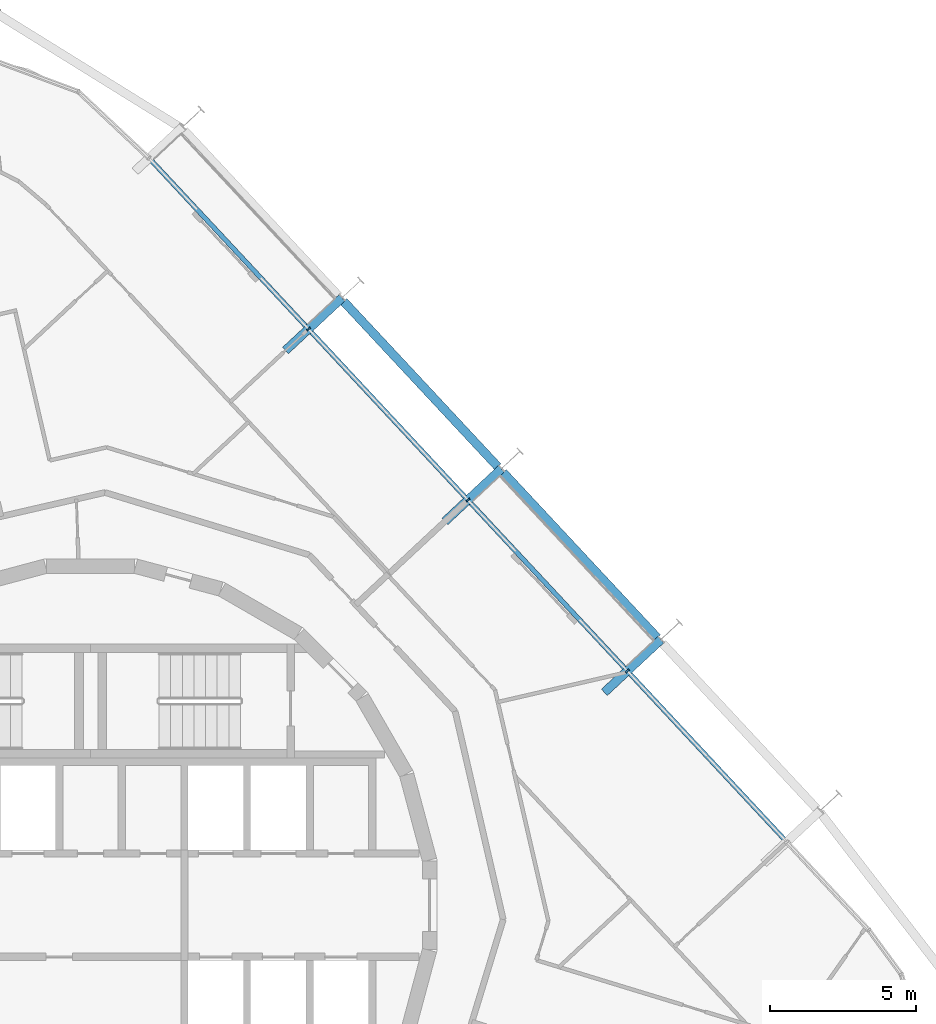
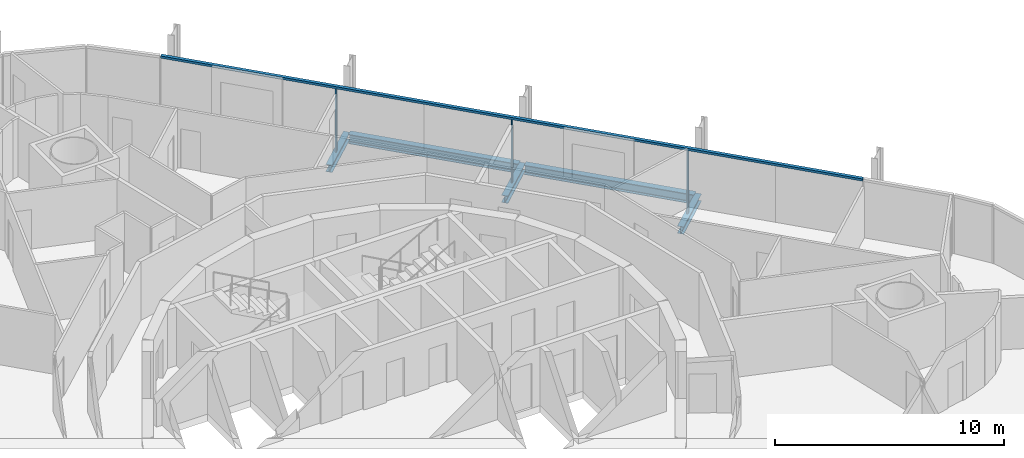
# One storey, part 9 of 18: 5 beams, 4 members, 1 element without a shape of its own.
"""IFC4 building model written with IfcOpenShell, lengths in metres."""

from ifc_helpers import new_model, si_unit, direction, frame, origin, origin_2d, place, context, subcontext, project, spatial, rectangle, i_section, extrude, material, layer, layer_set, material_profile, profile_set, type_object, element, aggregate, save


model = new_model("IFC4")

# Units and contexts
model_context = context("Model", 3, precision=1e-05, world=origin(), true_north=direction((0.0, 1.0)))
body_context = subcontext(model_context, "Body", "Model", "MODEL_VIEW")
ifc_project = project(units=[si_unit("LENGTHUNIT", "METRE"), si_unit("AREAUNIT", "SQUARE_METRE"), si_unit("VOLUMEUNIT", "CUBIC_METRE"), si_unit("PLANEANGLEUNIT", "RADIAN"), si_unit("MASSUNIT", "GRAM", prefix="KILO")], contexts=[model_context])

# Site, building, storey
site_placement = place(None, origin())
site = spatial("IfcSite", under=ifc_project, at=site_placement, CompositionType="ELEMENT")
building_placement = place(site_placement, origin())
building = spatial("IfcBuilding", under=site, at=building_placement, Name="Spindle Arch Residences", CompositionType="ELEMENT")
storey_placement = place(building_placement, frame((0.0, 0.0, 134.39990234375)))
storey = spatial("IfcBuildingStorey", under=building, at=storey_placement, Name="L33", CompositionType="ELEMENT", Elevation=134.39990234375)

# Curtain wall, members
ifc_material_1 = material(Name="Aluminium bronze unitised frame with tinted glass", Category="aluminium")
ifc_layer = layer(ifc_material_1, 0.159912109375)
ifc_layer_set = layer_set([ifc_layer], Name="CW-C typical residential unitised wall")
curtain_wall_type = type_object("IfcCurtainWallType", Name="CW-C typical residential unitised wall", PredefinedType="NOTDEFINED", material=ifc_layer_set)
curtain_wall_placement = place(storey_placement, origin())
curtain_wall = element("IfcCurtainWall", 1, at=curtain_wall_placement, inside=storey, type_object=curtain_wall_type, Name="CW-C L33 run 2", PredefinedType="NOTDEFINED")
ifc_material_2 = material(Name="Aluminium bronze anodised mullion", Category="aluminium")
ifc_material_profile_1 = material_profile(ifc_material_2, rectangle(XDim=0.159912109375, YDim=0.06005859375, at=origin_2d()), Name="MU 60x160")
ifc_profile_set_1 = profile_set([ifc_material_profile_1], Name="Aluminium bronze anodised mullion")
member_type_1 = type_object("IfcMemberType", Name="Bronze mullion 60x160", PredefinedType="MULLION", material=ifc_profile_set_1)
member_1_placement = place(storey_placement, frame((18.437744140625, 8.044677734375, -0.3798828125), z_axis=(0.0, 0.0, 1.0), x_axis=(-0.731353701619, -0.681998360062, 0.0)))
member_1 = element("IfcMember", 2, at=member_1_placement, type_object=member_type_1, Name="CW-C mullion 06", PredefinedType="MULLION", context=body_context, shape_type="SweptSolid", body=[
    extrude(rectangle(XDim=0.159912109375, YDim=0.06005859375, at=origin_2d()), origin(), (0.0, 0.0, 1.0), 3.3798828125),
])
member_2_placement = place(storey_placement, frame((12.961669921875, 13.916748046875, -0.3798828125), z_axis=(0.0, 0.0, 1.0), x_axis=(-0.731353701619, -0.681998360062, 0.0)))
member_2 = element("IfcMember", 3, at=member_2_placement, type_object=member_type_1, Name="CW-C mullion 07", PredefinedType="MULLION", context=body_context, shape_type="SweptSolid", body=[
    extrude(rectangle(XDim=0.159912109375, YDim=0.06005859375, at=origin_2d()), origin(), (0.0, 0.0, 1.0), 3.3798828125),
])
member_3_placement = place(storey_placement, frame((7.48583984375, 19.7890625, -0.3798828125), z_axis=(0.0, 0.0, 1.0), x_axis=(-0.731353701619, -0.681998360062, 0.0)))
member_3 = element("IfcMember", 4, at=member_3_placement, type_object=member_type_1, Name="CW-C mullion 08", PredefinedType="MULLION", context=body_context, shape_type="SweptSolid", body=[
    extrude(rectangle(XDim=0.159912109375, YDim=0.06005859375, at=origin_2d()), origin(), (0.0, 0.0, 1.0), 3.3798828125),
])
ifc_material_3 = material(Name="Aluminium bronze anodised transom", Category="aluminium")
ifc_material_profile_2 = material_profile(ifc_material_3, rectangle(XDim=0.159912109375, YDim=0.1201171875, at=origin_2d()), Name="TR 120x160")
ifc_profile_set_2 = profile_set([ifc_material_profile_2], Name="Aluminium bronze anodised transom")
member_type_2 = type_object("IfcMemberType", Name="Bronze transom 120x160", PredefinedType="USERDEFINED", material=ifc_profile_set_2)
member_4_placement = place(storey_placement, frame((23.89306640625, 2.1943359375, 3.06005859375), z_axis=(-0.681996633995, 0.731355311199, 0.0), x_axis=(-0.731355311199, -0.681996633995, 0.0)))
member_4 = element("IfcMember", 5, at=member_4_placement, type_object=member_type_2, Name="CW-C transom 00", ObjectType="TRANSOM", PredefinedType="USERDEFINED", context=body_context, shape_type="SweptSolid", body=[
    extrude(rectangle(XDim=0.159912109375, YDim=0.1201171875, at=origin_2d()), origin(), (0.0, 0.0, 1.0), 32.056640625),
])
aggregate(curtain_wall, [member_4, member_1, member_2, member_3])

# Beams
ifc_material_4 = material(Name="Steel S460ML, intumescent coating R 120", Category="steel")
ifc_material_profile_3 = material_profile(ifc_material_4, i_section(OverallWidth=0.300048828125, OverallDepth=0.5, WebThickness=0.014404296875, FlangeThickness=0.028076171875, FilletRadius=0.027099609375, at=origin_2d()), Name="HEB 500")
ifc_profile_set_3 = profile_set([ifc_material_profile_3], Name="Steel S460ML, intumescent coating R 120")
beam_type_1 = type_object("IfcBeamType", Name="Exoskeleton edge beam HEB 500", PredefinedType="BEAM", material=ifc_profile_set_3)
beam_1_placement = place(storey_placement, frame((19.468017578125, 9.18310546875, -0.6298828125), z_axis=(-0.681992374481, 0.731359283218, 0.0), x_axis=(-0.731359283218, -0.681992374481, 0.0)))
element("IfcBeam", 6, at=beam_1_placement, inside=storey, type_object=beam_type_1, Name="Exoskeleton edge beam 7", PredefinedType="BEAM", context=body_context, shape_type="SweptSolid", body=[
    extrude(i_section(OverallWidth=0.300048828125, OverallDepth=0.5, WebThickness=0.014404296875, FlangeThickness=0.028076171875, FilletRadius=0.027099609375, at=origin_2d()), origin(), (0.0, 0.0, 1.0), 7.769287109375),
])
beam_2_placement = place(storey_placement, frame((13.9921875, 15.055419921875, -0.6298828125), z_axis=(-0.682008048331, 0.731344667042, 0.0), x_axis=(-0.731344667042, -0.682008048331, 0.0)))
element("IfcBeam", 7, at=beam_2_placement, inside=storey, type_object=beam_type_1, Name="Exoskeleton edge beam 8", PredefinedType="BEAM", context=body_context, shape_type="SweptSolid", body=[
    extrude(i_section(OverallWidth=0.300048828125, OverallDepth=0.5, WebThickness=0.014404296875, FlangeThickness=0.028076171875, FilletRadius=0.027099609375, at=origin_2d()), origin(), (0.0, 0.0, 1.0), 7.76904296875),
])
ifc_material_5 = material(Name="Steel S460ML, intumescent coating R 120", Category="steel")
ifc_material_profile_4 = material_profile(ifc_material_5, i_section(OverallWidth=0.300048828125, OverallDepth=0.389892578125, WebThickness=0.010986328125, FlangeThickness=0.01904296875, FilletRadius=0.027099609375, at=origin_2d()), Name="HEA 400")
ifc_profile_set_4 = profile_set([ifc_material_profile_4], Name="Steel S460ML, intumescent coating R 120")
beam_type_2 = type_object("IfcBeamType", Name="Floor outrigger HEA 400", PredefinedType="BEAM", material=ifc_profile_set_4)
beam_3_placement = place(storey_placement, frame((19.5859375, 9.115478515625, -0.574951171875), z_axis=(-0.731364603864, -0.681986668649, 0.0), x_axis=(0.681986668649, -0.731364603864, 0.0)))
element("IfcBeam", 8, at=beam_3_placement, inside=storey, type_object=beam_type_2, Name="Floor outrigger 7", PredefinedType="BEAM", context=body_context, shape_type="SweptSolid", body=[
    extrude(i_section(OverallWidth=0.300048828125, OverallDepth=0.389892578125, WebThickness=0.010986328125, FlangeThickness=0.01904296875, FilletRadius=0.027099609375, at=origin_2d()), origin(), (0.0, 0.0, 1.0), 2.650146484375),
])
for number, where, z_axis, x_axis, name in (
    (9, (14.110107421875, 14.987548828125, -0.574951171875), (-0.731410554291, -0.681937387941, 0.0), (0.681937387941, -0.731410554291, 0.0), "Floor outrigger 8"),
    (10, (8.634033203125, 20.859619140625, -0.574951171875), (-0.731367706511, -0.681983341345, 0.0), (0.681983341345, -0.731367706511, 0.0), "Floor outrigger 9"),
):
    element("IfcBeam", number, at=place(storey_placement, frame(where, z_axis=z_axis, x_axis=x_axis)), inside=storey, type_object=beam_type_2, Name=name, PredefinedType="BEAM", context=body_context, shape_type="SweptSolid", body=[
        extrude(i_section(OverallWidth=0.300048828125, OverallDepth=0.389892578125, WebThickness=0.010986328125, FlangeThickness=0.01904296875, FilletRadius=0.027099609375, at=origin_2d()), origin(), (0.0, 0.0, 1.0), 2.64990234375),
    ])

save(model, "model.ifc")
